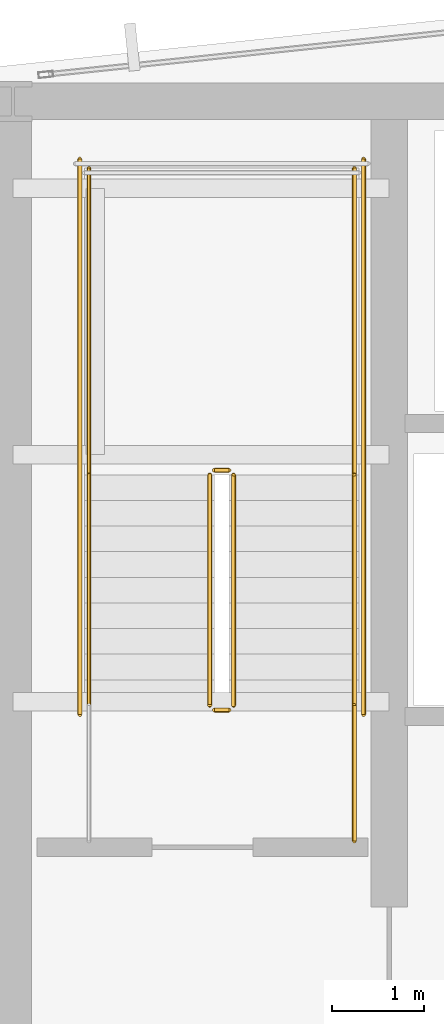
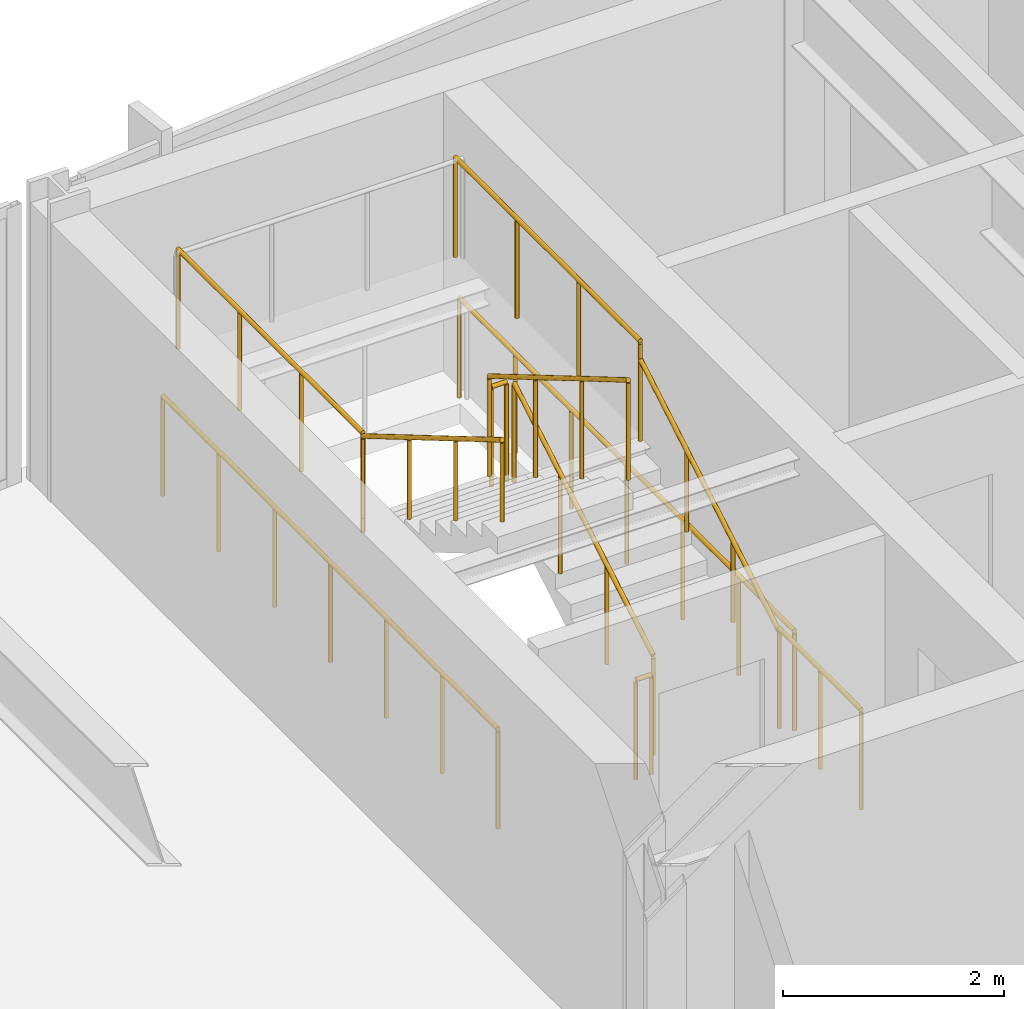
# One storey, part 30 of 32: 11 railings.
"""IFC4 building model written with IfcOpenShell, lengths in metres."""

from ifc_helpers import new_model, si_unit, direction, frame, origin, origin_2d, place, context, subcontext, project, spatial, circle, extrude, material, layer, layer_set, type_object, element, save


model = new_model("IFC4")

# Units and contexts
model_context = context("Model", 3, precision=1e-05, world=origin(), true_north=direction((0.0, 1.0)))
body_context = subcontext(model_context, "Body", "Model", "MODEL_VIEW")
ifc_project = project(units=[si_unit("LENGTHUNIT", "METRE"), si_unit("AREAUNIT", "SQUARE_METRE"), si_unit("VOLUMEUNIT", "CUBIC_METRE"), si_unit("PLANEANGLEUNIT", "RADIAN"), si_unit("MASSUNIT", "GRAM", prefix="KILO")], contexts=[model_context])

# Site, building, storey
site_placement = place(None, origin())
site = spatial("IfcSite", under=ifc_project, at=site_placement, CompositionType="ELEMENT")
building_placement = place(site_placement, origin())
building = spatial("IfcBuilding", under=site, at=building_placement, Name="Yelkora Congress Tower", CompositionType="ELEMENT")
storey_placement = place(building_placement, frame((0.0, 0.0, 217.699951171875)))
storey = spatial("IfcBuildingStorey", under=building, at=storey_placement, Name="L60", CompositionType="ELEMENT", Elevation=217.699951171875)

# Railings
ifc_material_1 = material(Name="Painted galvanised steel stair well guard with vertical infill", Category="steel")
ifc_layer_1 = layer(ifc_material_1, 0.06005859375)
ifc_layer_set_1 = layer_set([ifc_layer_1], Name="Painted galvanised steel stair well guard with vertical infill")
railing_type_1 = type_object("IfcRailingType", Name="RAIL-STAIR-GUARD-1120", PredefinedType="GUARDRAIL", material=ifc_layer_set_1)
railing_1_placement = place(storey_placement, frame((25.449951171875, 39.60009765625, 0.1650390625)))
element("IfcRailing", 1, at=railing_1_placement, inside=storey, type_object=railing_type_1, Name="ST-01 L60 Stair Well Guardrail 1", PredefinedType="GUARDRAIL", context=body_context, shape_type="SweptSolid", body=[
    extrude(circle(Radius=0.02392578125, at=origin_2d()), frame((0.0, 0.0, 1.09619140625), z_axis=(0.0, 0.86152411907, 0.507716645641), x_axis=(-1.0, 0.0, 0.0)), (0.0, 0.0, 1.0), 2.925048828125),
    extrude(circle(Radius=0.02099609375, at=origin_2d()), origin(), (0.0, 0.0, 1.0), 1.072021484375),
    extrude(circle(Radius=0.02099609375, at=origin_2d()), frame((0.0, 0.840087890625, 0.4951171875)), (0.0, 0.0, 1.0), 1.072021484375),
    extrude(circle(Radius=0.02099609375, at=origin_2d()), frame((0.0, 1.679931640625, 0.989990234375)), (0.0, 0.0, 1.0), 1.072021484375),
    extrude(circle(Radius=0.02099609375, at=origin_2d()), frame((0.0, 2.52001953125, 1.485107421875)), (0.0, 0.0, 1.0), 1.072021484375),
])
railing_2_placement = place(storey_placement, frame((25.39990234375, 42.169921875, 1.650146484375)))
element("IfcRailing", 2, at=railing_2_placement, inside=storey, type_object=railing_type_1, Name="ST-01 L60 Stair Well Guardrail 2", PredefinedType="GUARDRAIL", context=body_context, shape_type="SweptSolid", body=[
    extrude(circle(Radius=0.02392578125, at=origin_2d()), frame((0.0, 0.0, 1.09619140625), z_axis=(-1.0, 0.0, 0.0), x_axis=(0.0, -1.0, 0.0)), (0.0, 0.0, 1.0), 0.159912109375),
    extrude(circle(Radius=0.02099609375, at=origin_2d()), origin(), (0.0, 0.0, 1.0), 1.072021484375),
    extrude(circle(Radius=0.02099609375, at=origin_2d()), frame((-0.159912109375, 0.0, 0.0)), (0.0, 0.0, 1.0), 1.072021484375),
])
for number, where, name in (
    (3, (26.77001953125, 42.1201171875, 1.650146484375), "ST-01 L60 Stair Well Guardrail 3"),
    (4, (23.8701171875, 42.1201171875, 1.650146484375), "ST-01 L60 Stair Well Guardrail 4"),
):
    element("IfcRailing", number, at=place(storey_placement, frame(where)), inside=storey, type_object=railing_type_1, Name=name, PredefinedType="GUARDRAIL", context=body_context, shape_type="SweptSolid", body=[
        extrude(circle(Radius=0.02392578125, at=origin_2d()), frame((0.0, 0.0, 1.09619140625), z_axis=(0.0, 1.0, 0.0), x_axis=(-1.0, 0.0, 0.0)), (0.0, 0.0, 1.0), 3.349853515625),
        extrude(circle(Radius=0.02099609375, at=origin_2d()), origin(), (0.0, 0.0, 1.0), 1.072021484375),
        extrude(circle(Radius=0.02099609375, at=origin_2d()), frame((0.0, 1.11669921875, 0.0)), (0.0, 0.0, 1.0), 1.072021484375),
        extrude(circle(Radius=0.02099609375, at=origin_2d()), frame((0.0, 2.233154296875, 0.0)), (0.0, 0.0, 1.0), 1.072021484375),
        extrude(circle(Radius=0.02099609375, at=origin_2d()), frame((0.0, 3.349853515625, 0.0)), (0.0, 0.0, 1.0), 1.072021484375),
    ])
railing_3_placement = place(storey_placement, frame((25.18994140625, 42.1201171875, 1.81494140625)))
element("IfcRailing", 5, at=railing_3_placement, inside=storey, type_object=railing_type_1, Name="ST-01 L60 Stair Well Guardrail 6", PredefinedType="GUARDRAIL", context=body_context, shape_type="SweptSolid", body=[
    extrude(circle(Radius=0.02392578125, at=origin_2d()), frame((0.0, 0.0, 1.09619140625), z_axis=(0.0, -0.86152411907, 0.507716645641), x_axis=(1.0, 0.0, 0.0)), (0.0, 0.0, 1.0), 2.925048828125),
    extrude(circle(Radius=0.02099609375, at=origin_2d()), origin(), (0.0, 0.0, 1.0), 1.072021484375),
    extrude(circle(Radius=0.02099609375, at=origin_2d()), frame((0.0, -0.840087890625, 0.4951171875)), (0.0, 0.0, 1.0), 1.072021484375),
    extrude(circle(Radius=0.02099609375, at=origin_2d()), frame((0.0, -1.679931640625, 0.989990234375)), (0.0, 0.0, 1.0), 1.072021484375),
    extrude(circle(Radius=0.02099609375, at=origin_2d()), frame((0.0, -2.52001953125, 1.485107421875)), (0.0, 0.0, 1.0), 1.072021484375),
])
railing_4_placement = place(storey_placement, frame((25.39990234375, 39.550048828125, 0.0)))
element("IfcRailing", 6, at=railing_4_placement, inside=storey, type_object=railing_type_1, Name="ST-01 L60 Stair Well Guardrail 7", PredefinedType="GUARDRAIL", context=body_context, shape_type="SweptSolid", body=[
    extrude(circle(Radius=0.02392578125, at=origin_2d()), frame((0.0, 0.0, 1.09619140625), z_axis=(-1.0, 0.0, 0.0), x_axis=(0.0, -1.0, 0.0)), (0.0, 0.0, 1.0), 0.159912109375),
    extrude(circle(Radius=0.02099609375, at=origin_2d()), origin(), (0.0, 0.0, 1.0), 1.072021484375),
    extrude(circle(Radius=0.02099609375, at=origin_2d()), frame((-0.159912109375, 0.0, 0.0)), (0.0, 0.0, 1.0), 1.072021484375),
])
railing_5_placement = place(storey_placement, frame((26.77001953125, 38.1201171875, 0.0)))
element("IfcRailing", 7, at=railing_5_placement, inside=storey, type_object=railing_type_1, Name="ST-01 L60 Stair Well Guardrail 8", PredefinedType="GUARDRAIL", context=body_context, shape_type="SweptSolid", body=[
    extrude(circle(Radius=0.02392578125, at=origin_2d()), frame((0.0, 0.0, 1.09619140625), z_axis=(0.0, 1.0, 0.0), x_axis=(-1.0, 0.0, 0.0)), (0.0, 0.0, 1.0), 1.47998046875),
    extrude(circle(Radius=0.02099609375, at=origin_2d()), origin(), (0.0, 0.0, 1.0), 1.072021484375),
    extrude(circle(Radius=0.02099609375, at=origin_2d()), frame((0.0, 0.739990234375, 0.0)), (0.0, 0.0, 1.0), 1.072021484375),
    extrude(circle(Radius=0.02099609375, at=origin_2d()), frame((0.0, 1.47998046875, 0.0)), (0.0, 0.0, 1.0), 1.072021484375),
])
for number, where, name in (
    (8, (26.8701171875, 39.5, 0.0), "ST-01 L60 Stair Well Guardrail 10"),
    (9, (23.77001953125, 39.5, 0.0), "ST-01 L60 Stair Well Guardrail 11"),
):
    element("IfcRailing", number, at=place(storey_placement, frame(where)), inside=storey, type_object=railing_type_1, Name=name, PredefinedType="GUARDRAIL", context=body_context, shape_type="SweptSolid", body=[
        extrude(circle(Radius=0.02392578125, at=origin_2d()), frame((0.0, 0.0, 1.09619140625), z_axis=(0.0, 1.0, 0.0), x_axis=(-1.0, 0.0, 0.0)), (0.0, 0.0, 1.0), 6.070068359375),
        extrude(circle(Radius=0.02099609375, at=origin_2d()), origin(), (0.0, 0.0, 1.0), 1.072021484375),
        extrude(circle(Radius=0.02099609375, at=origin_2d()), frame((0.0, 1.01171875, 0.0)), (0.0, 0.0, 1.0), 1.072021484375),
        extrude(circle(Radius=0.02099609375, at=origin_2d()), frame((0.0, 2.0234375, 0.0)), (0.0, 0.0, 1.0), 1.072021484375),
        extrude(circle(Radius=0.02099609375, at=origin_2d()), frame((0.0, 3.03515625, 0.0)), (0.0, 0.0, 1.0), 1.072021484375),
        extrude(circle(Radius=0.02099609375, at=origin_2d()), frame((0.0, 4.046630859375, 0.0)), (0.0, 0.0, 1.0), 1.072021484375),
        extrude(circle(Radius=0.02099609375, at=origin_2d()), frame((0.0, 5.058349609375, 0.0)), (0.0, 0.0, 1.0), 1.072021484375),
        extrude(circle(Radius=0.02099609375, at=origin_2d()), frame((0.0, 6.070068359375, 0.0)), (0.0, 0.0, 1.0), 1.072021484375),
    ])
ifc_material_2 = material(Name="Brushed stainless steel tubular handrail", Category="steel")
ifc_layer_2 = layer(ifc_material_2, 0.050048828125)
ifc_layer_set_2 = layer_set([ifc_layer_2], Name="Brushed stainless steel tubular handrail")
railing_type_2 = type_object("IfcRailingType", Name="RAIL-STAIR-HAND-920", PredefinedType="HANDRAIL", material=ifc_layer_set_2)
railing_6_placement = place(storey_placement, frame((26.77001953125, 39.60009765625, 0.1650390625)))
element("IfcRailing", 10, at=railing_6_placement, inside=storey, type_object=railing_type_2, Name="ST-01 L60 Pitch Handrail 1", PredefinedType="HANDRAIL", context=body_context, shape_type="SweptSolid", body=[
    extrude(circle(Radius=0.02392578125, at=origin_2d()), frame((0.0, 0.0, 0.89599609375), z_axis=(0.0, 0.86152411907, 0.507716645641), x_axis=(-1.0, 0.0, 0.0)), (0.0, 0.0, 1.0), 2.925048828125),
    extrude(circle(Radius=0.02099609375, at=origin_2d()), origin(), (0.0, 0.0, 1.0), 0.871826171875),
    extrude(circle(Radius=0.02099609375, at=origin_2d()), frame((0.0, 0.840087890625, 0.4951171875)), (0.0, 0.0, 1.0), 0.871826171875),
    extrude(circle(Radius=0.02099609375, at=origin_2d()), frame((0.0, 1.679931640625, 0.989990234375)), (0.0, 0.0, 1.0), 0.871826171875),
    extrude(circle(Radius=0.02099609375, at=origin_2d()), frame((0.0, 2.52001953125, 1.485107421875)), (0.0, 0.0, 1.0), 0.871826171875),
])
railing_7_placement = place(storey_placement, frame((23.8701171875, 42.1201171875, 1.81494140625)))
element("IfcRailing", 11, at=railing_7_placement, inside=storey, type_object=railing_type_2, Name="ST-01 L60 Pitch Handrail 2", PredefinedType="HANDRAIL", context=body_context, shape_type="SweptSolid", body=[
    extrude(circle(Radius=0.02392578125, at=origin_2d()), frame((0.0, 0.0, 0.89599609375), z_axis=(0.0, -0.86152411907, 0.507716645641), x_axis=(1.0, 0.0, 0.0)), (0.0, 0.0, 1.0), 2.925048828125),
    extrude(circle(Radius=0.02099609375, at=origin_2d()), origin(), (0.0, 0.0, 1.0), 0.871826171875),
    extrude(circle(Radius=0.02099609375, at=origin_2d()), frame((0.0, -0.840087890625, 0.4951171875)), (0.0, 0.0, 1.0), 0.871826171875),
    extrude(circle(Radius=0.02099609375, at=origin_2d()), frame((0.0, -1.679931640625, 0.989990234375)), (0.0, 0.0, 1.0), 0.871826171875),
    extrude(circle(Radius=0.02099609375, at=origin_2d()), frame((0.0, -2.52001953125, 1.485107421875)), (0.0, 0.0, 1.0), 0.871826171875),
])

save(model, "model.ifc")
